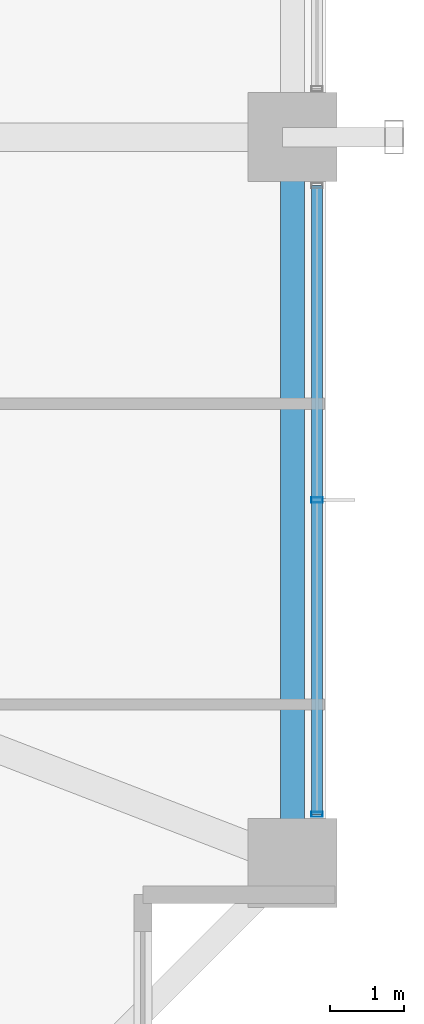
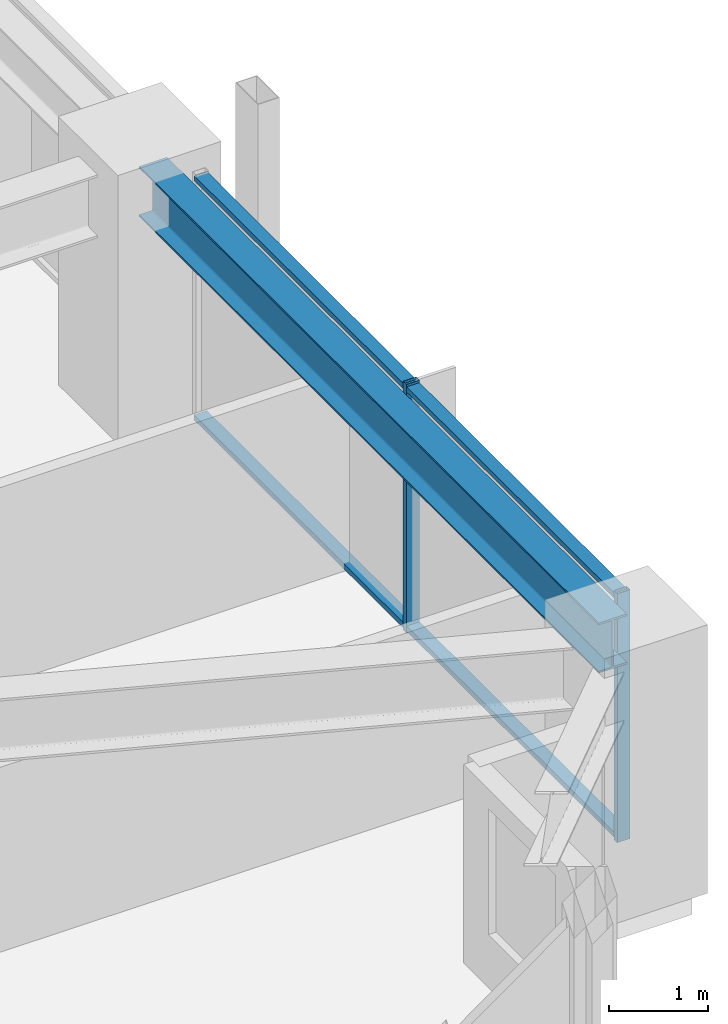
# One storey, part 12 of 38: 4 members, 1 beam, 1 element without a shape of its own.
"""IFC4 building model written with IfcOpenShell, lengths in metres."""

from ifc_helpers import new_model, si_unit, direction, frame, origin, origin_2d, place, context, subcontext, project, spatial, hollow_rectangle, i_section, extrude, material, material_profile, profile_set, type_object, element, aggregate, save


model = new_model("IFC4")

# Units and contexts
model_context = context("Model", 3, precision=1e-05, world=origin(), true_north=direction((0.0, 1.0)))
body_context = subcontext(model_context, "Body", "Model", "MODEL_VIEW")
ifc_project = project(units=[si_unit("LENGTHUNIT", "METRE"), si_unit("AREAUNIT", "SQUARE_METRE"), si_unit("VOLUMEUNIT", "CUBIC_METRE"), si_unit("PLANEANGLEUNIT", "RADIAN"), si_unit("MASSUNIT", "GRAM", prefix="KILO")], contexts=[model_context])

# Site, building, storey
site_placement = place(None, origin())
site = spatial("IfcSite", under=ifc_project, at=site_placement, CompositionType="ELEMENT")
building_placement = place(site_placement, origin())
building = spatial("IfcBuilding", under=site, at=building_placement, Name="Kolvaren Belvedere", CompositionType="ELEMENT")
storey_placement = place(building_placement, frame((0.0, 0.0, 50.199951171875)))
storey = spatial("IfcBuildingStorey", under=building, at=storey_placement, Name="L14", CompositionType="ELEMENT", Elevation=50.199951171875)

# Beam
ifc_material_1 = material(Name="Structural steel ASTM A992 Grade 50", Category="steel")
ifc_material_profile_1 = material_profile(ifc_material_1, i_section(OverallWidth=0.324951171875, OverallDepth=0.615966796875, WebThickness=0.013916015625, FlangeThickness=0.021484375, FilletRadius=0.02001953125, at=origin_2d()), Name="W24X117")
ifc_profile_set_1 = profile_set([ifc_material_profile_1], Name="Structural steel ASTM A992 Grade 50")
beam_type = type_object("IfcBeamType", Name="BM-SPAN-W24X117", PredefinedType="SPANDREL", material=ifc_profile_set_1)
beam_placement = place(storey_placement, frame((21.550048828125, -14.1298828125, 2.751953125), z_axis=(0.0, 1.0, 0.0), x_axis=(-1.0, 0.0, 0.0)))
element("IfcBeam", 1, at=beam_placement, inside=storey, type_object=beam_type, Name="L14 Perimeter Spandrel E1-E2", PredefinedType="SPANDREL", context=body_context, shape_type="SweptSolid", body=[
    extrude(i_section(OverallWidth=0.324951171875, OverallDepth=0.615966796875, WebThickness=0.013916015625, FlangeThickness=0.021484375, FilletRadius=0.02001953125, at=origin_2d()), origin(), (0.0, 0.0, 1.0), 9.259765625),
])

# Curtain wall, members
ifc_material_2 = material(Name="Anodised pale-metal aluminium AA 6063-T6", Category="aluminium")
curtain_wall_type = type_object("IfcCurtainWallType", Name="CW-Z1-LOW", PredefinedType="NOTDEFINED", material=ifc_material_2)
curtain_wall_placement = place(storey_placement, origin())
curtain_wall = element("IfcCurtainWall", 2, at=curtain_wall_placement, inside=storey, type_object=curtain_wall_type, Name="L14 Unitised Curtain Wall FCW-L14-E-B3", PredefinedType="NOTDEFINED")
ifc_material_3 = material(Name="Anodised pale-metal aluminium AA 6063-T6", Category="aluminium")
ifc_material_profile_2 = material_profile(ifc_material_3, hollow_rectangle(XDim=0.070068359375, YDim=0.14990234375, WallThickness=0.004150390625, at=origin_2d()), Name="ALU-MUL-150X70")
ifc_profile_set_2 = profile_set([ifc_material_profile_2], Name="Anodised pale-metal aluminium AA 6063-T6")
member_type_1 = type_object("IfcMemberType", Name="CW-MUL-150", PredefinedType="MULLION", material=ifc_profile_set_2)
member_1_placement = place(storey_placement, frame((21.8798828125, -9.5, 0.0), z_axis=(0.0, 0.0, 1.0), x_axis=(0.0, 1.0, 0.0)))
member_1 = element("IfcMember", 3, at=member_1_placement, type_object=member_type_1, Name="FCW-L14-E-B3 Unitised Mullion 2", PredefinedType="MULLION", context=body_context, shape_type="SweptSolid", body=[
    extrude(hollow_rectangle(XDim=0.070068359375, YDim=0.14990234375, WallThickness=0.004150390625, at=origin_2d()), origin(), (0.0, 0.0, 1.0), 3.06005859375),
])
member_2_placement = place(storey_placement, frame((21.8798828125, -13.7451171875, 0.0), z_axis=(0.0, 0.0, 1.0), x_axis=(0.0, 1.0, 0.0)))
member_2 = element("IfcMember", 4, at=member_2_placement, type_object=member_type_1, Name="FCW-L14-E-B3 Unitised Mullion 3", PredefinedType="MULLION", context=body_context, shape_type="SweptSolid", body=[
    extrude(hollow_rectangle(XDim=0.070068359375, YDim=0.14990234375, WallThickness=0.004150390625, at=origin_2d()), origin(), (0.0, 0.0, 1.0), 3.06005859375),
])
ifc_material_4 = material(Name="Anodised pale-metal aluminium AA 6063-T6", Category="aluminium")
ifc_material_profile_3 = material_profile(ifc_material_4, hollow_rectangle(XDim=0.06494140625, YDim=0.14990234375, WallThickness=0.00390625, at=origin_2d()), Name="ALU-TRN-150X65")
ifc_profile_set_3 = profile_set([ifc_material_profile_3], Name="Anodised pale-metal aluminium AA 6063-T6")
member_type_2 = type_object("IfcMemberType", Name="CW-TRN-150", PredefinedType="USERDEFINED", material=ifc_profile_set_3)
member_3_placement = place(storey_placement, frame((21.8798828125, -5.2548828125, 0.06005859375), z_axis=(0.0, -1.0, 0.0), x_axis=(0.0, 0.0, 1.0)))
member_3 = element("IfcMember", 5, at=member_3_placement, type_object=member_type_2, Name="FCW-L14-E-B3 Sill Transom", ObjectType="TRANSOM", PredefinedType="USERDEFINED", context=body_context, shape_type="SweptSolid", body=[
    extrude(hollow_rectangle(XDim=0.06494140625, YDim=0.14990234375, WallThickness=0.00390625, at=origin_2d()), origin(), (0.0, 0.0, 1.0), 8.490234375),
])
member_4_placement = place(storey_placement, frame((21.8798828125, -5.2548828125, 3.0), z_axis=(0.0, -1.0, 0.0), x_axis=(0.0, 0.0, 1.0)))
member_4 = element("IfcMember", 6, at=member_4_placement, type_object=member_type_2, Name="FCW-L14-E-B3 Head Transom", ObjectType="TRANSOM", PredefinedType="USERDEFINED", context=body_context, shape_type="SweptSolid", body=[
    extrude(hollow_rectangle(XDim=0.06494140625, YDim=0.14990234375, WallThickness=0.00390625, at=origin_2d()), origin(), (0.0, 0.0, 1.0), 8.490234375),
])
aggregate(curtain_wall, [member_1, member_2, member_3, member_4])

save(model, "model.ifc")
